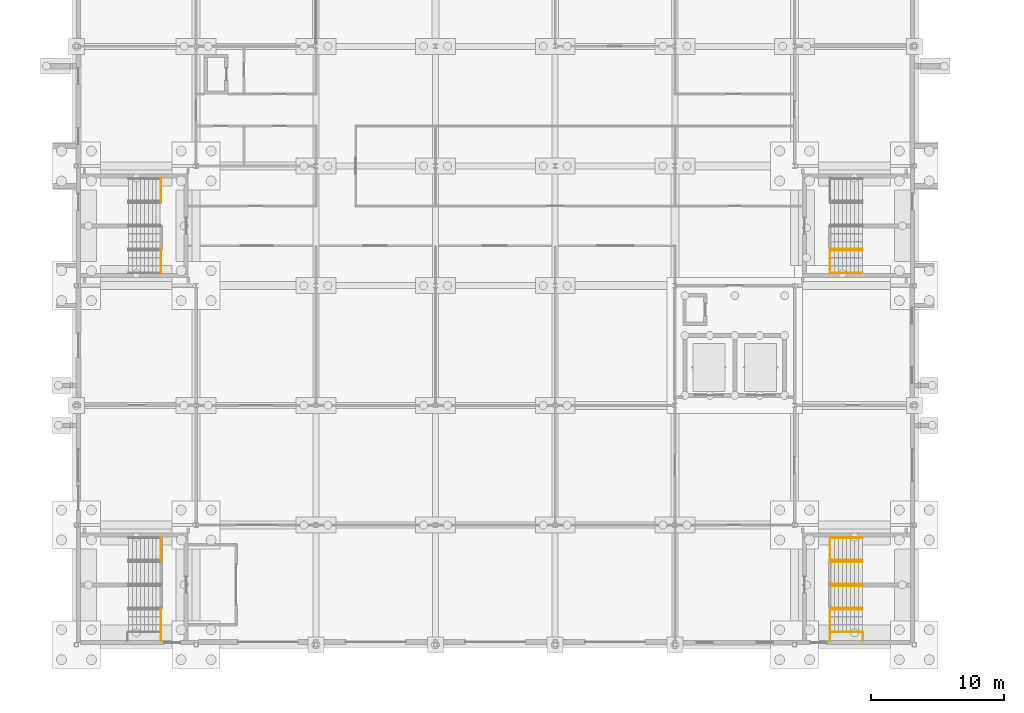
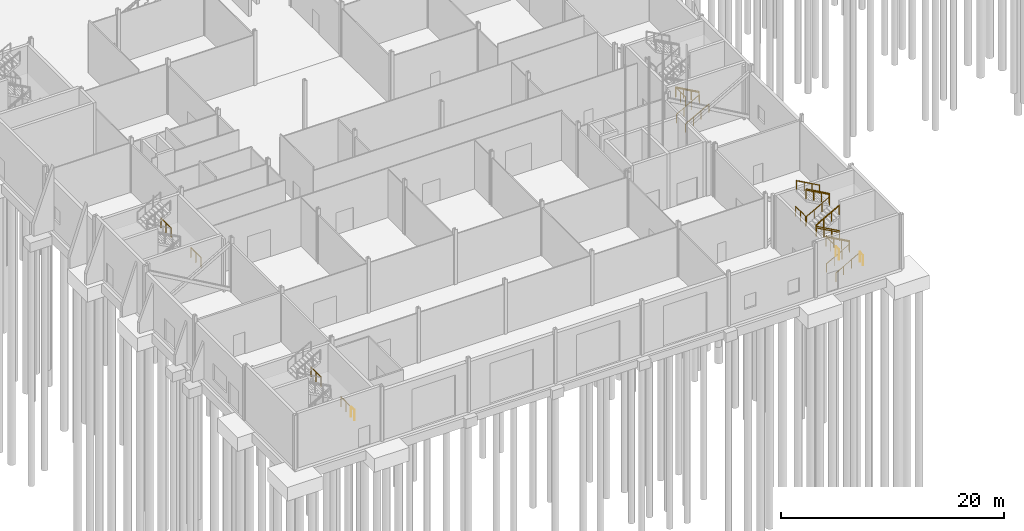
# One storey, part 132 of 139: 26 railings.
"""IFC4 building model written with IfcOpenShell, lengths in metres."""

from ifc_helpers import new_model, si_unit, direction, frame, origin, origin_2d, place, context, subcontext, project, spatial, circle, extrude, material, type_object, element, save


model = new_model("IFC4")

# Units and contexts
model_context = context("Model", 3, precision=1e-05, world=origin(), true_north=direction((0.0, 1.0)))
body_context = subcontext(model_context, "Body", "Model", "MODEL_VIEW")
ifc_project = project(units=[si_unit("LENGTHUNIT", "METRE"), si_unit("AREAUNIT", "SQUARE_METRE"), si_unit("VOLUMEUNIT", "CUBIC_METRE"), si_unit("PLANEANGLEUNIT", "RADIAN"), si_unit("MASSUNIT", "GRAM", prefix="KILO")], contexts=[model_context])

# Site, building, storey
site_placement = place(None, origin())
site = spatial("IfcSite", under=ifc_project, at=site_placement, CompositionType="ELEMENT")
building_placement = place(site_placement, origin())
building = spatial("IfcBuilding", under=site, at=building_placement, Name="Shorebreak Coast Museum", CompositionType="ELEMENT")
storey_placement = place(building_placement, origin())
storey = spatial("IfcBuildingStorey", under=building, at=storey_placement, Name="L00", CompositionType="ELEMENT", Elevation=0.0)

# Railings
ifc_material_1 = material(Name="Steel Grade 300", Category="steel")
railing_type_1 = type_object("IfcRailingType", Name="Stair guard 1100", PredefinedType="GUARDRAIL", material=ifc_material_1)
for number, where, name in (
    (1, (60.35009765625, 0.89990234375, 3.0), "Guard ST11 L00 landing mid1"),
    (2, (60.35009765625, 6.300048828125, 3.0), "Guard ST11 L00 landing mid1"),
):
    element("IfcRailing", number, at=place(storey_placement, frame(where)), inside=storey, type_object=railing_type_1, Name=name, PredefinedType="GUARDRAIL", context=body_context, shape_type="SweptSolid", body=[
        extrude(circle(Radius=0.02490234375, at=origin_2d()), frame((0.0, 0.0, 1.0751953125), z_axis=(0.0, 1.0, 0.0), x_axis=(-1.0, 0.0, 0.0)), (0.0, 0.0, 1.0), 1.800048828125),
        extrude(circle(Radius=0.02001953125, at=origin_2d()), origin(), (0.0, 0.0, 1.0), 1.050048828125),
        extrude(circle(Radius=0.02001953125, at=origin_2d()), frame((0.0, 0.89990234375, 0.0)), (0.0, 0.0, 1.0), 1.050048828125),
        extrude(circle(Radius=0.02001953125, at=origin_2d()), frame((0.0, 1.800048828125, 0.0)), (0.0, 0.0, 1.0), 1.050048828125),
    ])
railing_1_placement = place(storey_placement, frame((60.35009765625, 0.300048828125, 3.0)))
element("IfcRailing", 3, at=railing_1_placement, inside=storey, type_object=railing_type_1, Name="Guard ST11 L00 landing strip", PredefinedType="GUARDRAIL", context=body_context, shape_type="SweptSolid", body=[
    extrude(circle(Radius=0.02490234375, at=origin_2d()), frame((0.0, 0.0, 1.0751953125), z_axis=(0.0, 1.0, 0.0), x_axis=(-1.0, 0.0, 0.0)), (0.0, 0.0, 1.0), 0.599853515625),
    extrude(circle(Radius=0.02001953125, at=origin_2d()), origin(), (0.0, 0.0, 1.0), 1.050048828125),
    extrude(circle(Radius=0.02001953125, at=origin_2d()), frame((0.0, 0.599853515625, 0.0)), (0.0, 0.0, 1.0), 1.050048828125),
])
for number, where, name in (
    (4, (110.64990234375, 0.89990234375, 3.0), "Guard ST12 L00 landing mid1"),
    (5, (110.64990234375, 6.300048828125, 3.0), "Guard ST12 L00 landing mid1"),
):
    element("IfcRailing", number, at=place(storey_placement, frame(where)), inside=storey, type_object=railing_type_1, Name=name, PredefinedType="GUARDRAIL", context=body_context, shape_type="SweptSolid", body=[
        extrude(circle(Radius=0.02490234375, at=origin_2d()), frame((0.0, 0.0, 1.0751953125), z_axis=(0.0, 1.0, 0.0), x_axis=(-1.0, 0.0, 0.0)), (0.0, 0.0, 1.0), 1.800048828125),
        extrude(circle(Radius=0.02001953125, at=origin_2d()), origin(), (0.0, 0.0, 1.0), 1.050048828125),
        extrude(circle(Radius=0.02001953125, at=origin_2d()), frame((0.0, 0.89990234375, 0.0)), (0.0, 0.0, 1.0), 1.050048828125),
        extrude(circle(Radius=0.02001953125, at=origin_2d()), frame((0.0, 1.800048828125, 0.0)), (0.0, 0.0, 1.0), 1.050048828125),
    ])
for number, where, name in (
    (6, (110.64990234375, 0.300048828125, 3.0), "Guard ST12 L00 landing strip"),
    (7, (113.14990234375, 0.300048828125, 1.5), "Guard ST12 L00 landing strip"),
):
    element("IfcRailing", number, at=place(storey_placement, frame(where)), inside=storey, type_object=railing_type_1, Name=name, PredefinedType="GUARDRAIL", context=body_context, shape_type="SweptSolid", body=[
        extrude(circle(Radius=0.02490234375, at=origin_2d()), frame((0.0, 0.0, 1.0751953125), z_axis=(0.0, 1.0, 0.0), x_axis=(-1.0, 0.0, 0.0)), (0.0, 0.0, 1.0), 0.599853515625),
        extrude(circle(Radius=0.02001953125, at=origin_2d()), origin(), (0.0, 0.0, 1.0), 1.050048828125),
        extrude(circle(Radius=0.02001953125, at=origin_2d()), frame((0.0, 0.599853515625, 0.0)), (0.0, 0.0, 1.0), 1.050048828125),
    ])
for number, where, name in (
    (8, (113.10009765625, 2.699951171875, 1.666748046875), "Guard ST12-L00 well 1"),
    (9, (113.10009765625, 6.300048828125, 4.666748046875), "Guard ST12-L00 well 2"),
    (10, (113.10009765625, 4.5, 1.666748046875), "Guard ST12-L00 side 1"),
):
    element("IfcRailing", number, at=place(storey_placement, frame(where)), inside=storey, type_object=railing_type_1, Name=name, PredefinedType="GUARDRAIL", context=body_context, shape_type="SweptSolid", body=[
        extrude(circle(Radius=0.02490234375, at=origin_2d()), frame((0.0, 0.0, 1.0751953125), z_axis=(-0.874182441271, 0.0, 0.485597631145), x_axis=(0.0, -1.0, 0.0)), (0.0, 0.0, 1.0), 2.74560546875),
        extrude(circle(Radius=0.02001953125, at=origin_2d()), origin(), (0.0, 0.0, 1.0), 1.050048828125),
        extrude(circle(Radius=0.02001953125, at=origin_2d()), frame((-0.800048828125, 0.0, 0.4443359375)), (0.0, 0.0, 1.0), 1.050048828125),
        extrude(circle(Radius=0.02001953125, at=origin_2d()), frame((-1.60009765625, 0.0, 0.888916015625)), (0.0, 0.0, 1.0), 1.050048828125),
        extrude(circle(Radius=0.02001953125, at=origin_2d()), frame((-2.400146484375, 0.0, 1.333251953125)), (0.0, 0.0, 1.0), 1.050048828125),
    ])
railing_2_placement = place(storey_placement, frame((110.699951171875, 4.5, 3.166748046875)))
element("IfcRailing", 11, at=railing_2_placement, inside=storey, type_object=railing_type_1, Name="Guard ST12-L00 side 2", PredefinedType="GUARDRAIL", context=body_context, shape_type="SweptSolid", body=[
    extrude(circle(Radius=0.02490234375, at=origin_2d()), frame((0.0, 0.0, 1.0751953125), z_axis=(0.874182441271, 0.0, 0.485597631145), x_axis=(0.0, 1.0, 0.0)), (0.0, 0.0, 1.0), 2.74560546875),
    extrude(circle(Radius=0.02001953125, at=origin_2d()), origin(), (0.0, 0.0, 1.0), 1.050048828125),
    extrude(circle(Radius=0.02001953125, at=origin_2d()), frame((0.800048828125, 0.0, 0.4443359375)), (0.0, 0.0, 1.0), 1.050048828125),
    extrude(circle(Radius=0.02001953125, at=origin_2d()), frame((1.60009765625, 0.0, 0.888916015625)), (0.0, 0.0, 1.0), 1.050048828125),
    extrude(circle(Radius=0.02001953125, at=origin_2d()), frame((2.400146484375, 0.0, 1.333251953125)), (0.0, 0.0, 1.0), 1.050048828125),
])
for number, where, name in (
    (12, (60.35009765625, 27.89990234375, 3.0), "Guard ST13 L00 landing mid1"),
    (13, (60.35009765625, 33.300048828125, 3.0), "Guard ST13 L00 landing mid1"),
    (14, (110.64990234375, 27.89990234375, 3.0), "Guard ST14 L00 landing mid1"),
):
    element("IfcRailing", number, at=place(storey_placement, frame(where)), inside=storey, type_object=railing_type_1, Name=name, PredefinedType="GUARDRAIL", context=body_context, shape_type="SweptSolid", body=[
        extrude(circle(Radius=0.02490234375, at=origin_2d()), frame((0.0, 0.0, 1.0751953125), z_axis=(0.0, 1.0, 0.0), x_axis=(-1.0, 0.0, 0.0)), (0.0, 0.0, 1.0), 1.800048828125),
        extrude(circle(Radius=0.02001953125, at=origin_2d()), origin(), (0.0, 0.0, 1.0), 1.050048828125),
        extrude(circle(Radius=0.02001953125, at=origin_2d()), frame((0.0, 0.89990234375, 0.0)), (0.0, 0.0, 1.0), 1.050048828125),
        extrude(circle(Radius=0.02001953125, at=origin_2d()), frame((0.0, 1.800048828125, 0.0)), (0.0, 0.0, 1.0), 1.050048828125),
    ])
railing_3_placement = place(storey_placement, frame((113.10009765625, 29.699951171875, 1.666748046875)))
element("IfcRailing", 15, at=railing_3_placement, inside=storey, type_object=railing_type_1, Name="Guard ST14-L00 well 1", PredefinedType="GUARDRAIL", context=body_context, shape_type="SweptSolid", body=[
    extrude(circle(Radius=0.02490234375, at=origin_2d()), frame((0.0, 0.0, 1.0751953125), z_axis=(-0.874182441271, 0.0, 0.485597631145), x_axis=(0.0, -1.0, 0.0)), (0.0, 0.0, 1.0), 2.74560546875),
    extrude(circle(Radius=0.02001953125, at=origin_2d()), origin(), (0.0, 0.0, 1.0), 1.050048828125),
    extrude(circle(Radius=0.02001953125, at=origin_2d()), frame((-0.800048828125, 0.0, 0.4443359375)), (0.0, 0.0, 1.0), 1.050048828125),
    extrude(circle(Radius=0.02001953125, at=origin_2d()), frame((-1.60009765625, 0.0, 0.888916015625)), (0.0, 0.0, 1.0), 1.050048828125),
    extrude(circle(Radius=0.02001953125, at=origin_2d()), frame((-2.400146484375, 0.0, 1.333251953125)), (0.0, 0.0, 1.0), 1.050048828125),
])
ifc_material_2 = material(Name="Steel Grade 300", Category="steel")
railing_type_2 = type_object("IfcRailingType", Name="Stair handrail 950", PredefinedType="HANDRAIL", material=ifc_material_2)
for number, where, name in (
    (16, (110.699951171875, 0.9599609375, 0.166748046875), "Handrail ST12-L00 flight 1a"),
    (17, (110.699951171875, 2.639892578125, 0.166748046875), "Handrail ST12-L00 flight 1b"),
):
    element("IfcRailing", number, at=place(storey_placement, frame(where)), inside=storey, type_object=railing_type_2, Name=name, PredefinedType="HANDRAIL", context=body_context, shape_type="SweptSolid", body=[
        extrude(circle(Radius=0.02490234375, at=origin_2d()), frame((0.0, 0.0, 0.9248046875), z_axis=(0.874182441271, 0.0, 0.485597631145), x_axis=(0.0, 1.0, 0.0)), (0.0, 0.0, 1.0), 2.74560546875),
        extrude(circle(Radius=0.02001953125, at=origin_2d()), origin(), (0.0, 0.0, 1.0), 0.89990234375),
        extrude(circle(Radius=0.02001953125, at=origin_2d()), frame((0.800048828125, 0.0, 0.4443359375)), (0.0, 0.0, 1.0), 0.89990234375),
        extrude(circle(Radius=0.02001953125, at=origin_2d()), frame((1.60009765625, 0.0, 0.888916015625)), (0.0, 0.0, 1.0), 0.89990234375),
        extrude(circle(Radius=0.02001953125, at=origin_2d()), frame((2.400146484375, 0.0, 1.333251953125)), (0.0, 0.0, 1.0), 0.89990234375),
    ])
for number, where, name in (
    (18, (113.10009765625, 2.760009765625, 1.666748046875), "Handrail ST12-L00 flight 2a"),
    (19, (113.10009765625, 4.43994140625, 1.666748046875), "Handrail ST12-L00 flight 2b"),
):
    element("IfcRailing", number, at=place(storey_placement, frame(where)), inside=storey, type_object=railing_type_2, Name=name, PredefinedType="HANDRAIL", context=body_context, shape_type="SweptSolid", body=[
        extrude(circle(Radius=0.02490234375, at=origin_2d()), frame((0.0, 0.0, 0.9248046875), z_axis=(-0.874182441271, 0.0, 0.485597631145), x_axis=(0.0, -1.0, 0.0)), (0.0, 0.0, 1.0), 2.74560546875),
        extrude(circle(Radius=0.02001953125, at=origin_2d()), origin(), (0.0, 0.0, 1.0), 0.89990234375),
        extrude(circle(Radius=0.02001953125, at=origin_2d()), frame((-0.800048828125, 0.0, 0.4443359375)), (0.0, 0.0, 1.0), 0.89990234375),
        extrude(circle(Radius=0.02001953125, at=origin_2d()), frame((-1.60009765625, 0.0, 0.888916015625)), (0.0, 0.0, 1.0), 0.89990234375),
        extrude(circle(Radius=0.02001953125, at=origin_2d()), frame((-2.400146484375, 0.0, 1.333251953125)), (0.0, 0.0, 1.0), 0.89990234375),
    ])
for number, where, name in (
    (20, (110.699951171875, 4.56005859375, 3.166748046875), "Handrail ST12-L00 flight 3a"),
    (21, (110.699951171875, 6.239990234375, 3.166748046875), "Handrail ST12-L00 flight 3b"),
):
    element("IfcRailing", number, at=place(storey_placement, frame(where)), inside=storey, type_object=railing_type_2, Name=name, PredefinedType="HANDRAIL", context=body_context, shape_type="SweptSolid", body=[
        extrude(circle(Radius=0.02490234375, at=origin_2d()), frame((0.0, 0.0, 0.9248046875), z_axis=(0.874182441271, 0.0, 0.485597631145), x_axis=(0.0, 1.0, 0.0)), (0.0, 0.0, 1.0), 2.74560546875),
        extrude(circle(Radius=0.02001953125, at=origin_2d()), origin(), (0.0, 0.0, 1.0), 0.89990234375),
        extrude(circle(Radius=0.02001953125, at=origin_2d()), frame((0.800048828125, 0.0, 0.4443359375)), (0.0, 0.0, 1.0), 0.89990234375),
        extrude(circle(Radius=0.02001953125, at=origin_2d()), frame((1.60009765625, 0.0, 0.888916015625)), (0.0, 0.0, 1.0), 0.89990234375),
        extrude(circle(Radius=0.02001953125, at=origin_2d()), frame((2.400146484375, 0.0, 1.333251953125)), (0.0, 0.0, 1.0), 0.89990234375),
    ])
for number, where, name in (
    (22, (113.10009765625, 6.360107421875, 4.666748046875), "Handrail ST12-L00 flight 4a"),
    (23, (113.10009765625, 8.0400390625, 4.666748046875), "Handrail ST12-L00 flight 4b"),
):
    element("IfcRailing", number, at=place(storey_placement, frame(where)), inside=storey, type_object=railing_type_2, Name=name, PredefinedType="HANDRAIL", context=body_context, shape_type="SweptSolid", body=[
        extrude(circle(Radius=0.02490234375, at=origin_2d()), frame((0.0, 0.0, 0.9248046875), z_axis=(-0.874182441271, 0.0, 0.485597631145), x_axis=(0.0, -1.0, 0.0)), (0.0, 0.0, 1.0), 2.74560546875),
        extrude(circle(Radius=0.02001953125, at=origin_2d()), origin(), (0.0, 0.0, 1.0), 0.89990234375),
        extrude(circle(Radius=0.02001953125, at=origin_2d()), frame((-0.800048828125, 0.0, 0.4443359375)), (0.0, 0.0, 1.0), 0.89990234375),
        extrude(circle(Radius=0.02001953125, at=origin_2d()), frame((-1.60009765625, 0.0, 0.888916015625)), (0.0, 0.0, 1.0), 0.89990234375),
        extrude(circle(Radius=0.02001953125, at=origin_2d()), frame((-2.400146484375, 0.0, 1.333251953125)), (0.0, 0.0, 1.0), 0.89990234375),
    ])
for number, where, name in (
    (24, (110.699951171875, 27.9599609375, 0.166748046875), "Handrail ST14-L00 flight 1a"),
    (25, (110.699951171875, 29.639892578125, 0.166748046875), "Handrail ST14-L00 flight 1b"),
):
    element("IfcRailing", number, at=place(storey_placement, frame(where)), inside=storey, type_object=railing_type_2, Name=name, PredefinedType="HANDRAIL", context=body_context, shape_type="SweptSolid", body=[
        extrude(circle(Radius=0.02490234375, at=origin_2d()), frame((0.0, 0.0, 0.9248046875), z_axis=(0.874182441271, 0.0, 0.485597631145), x_axis=(0.0, 1.0, 0.0)), (0.0, 0.0, 1.0), 2.74560546875),
        extrude(circle(Radius=0.02001953125, at=origin_2d()), origin(), (0.0, 0.0, 1.0), 0.89990234375),
        extrude(circle(Radius=0.02001953125, at=origin_2d()), frame((0.800048828125, 0.0, 0.4443359375)), (0.0, 0.0, 1.0), 0.89990234375),
        extrude(circle(Radius=0.02001953125, at=origin_2d()), frame((1.60009765625, 0.0, 0.888916015625)), (0.0, 0.0, 1.0), 0.89990234375),
        extrude(circle(Radius=0.02001953125, at=origin_2d()), frame((2.400146484375, 0.0, 1.333251953125)), (0.0, 0.0, 1.0), 0.89990234375),
    ])
railing_4_placement = place(storey_placement, frame((113.10009765625, 29.760009765625, 1.666748046875)))
element("IfcRailing", 26, at=railing_4_placement, inside=storey, type_object=railing_type_2, Name="Handrail ST14-L00 flight 2a", PredefinedType="HANDRAIL", context=body_context, shape_type="SweptSolid", body=[
    extrude(circle(Radius=0.02490234375, at=origin_2d()), frame((0.0, 0.0, 0.9248046875), z_axis=(-0.874182441271, 0.0, 0.485597631145), x_axis=(0.0, -1.0, 0.0)), (0.0, 0.0, 1.0), 2.74560546875),
    extrude(circle(Radius=0.02001953125, at=origin_2d()), origin(), (0.0, 0.0, 1.0), 0.89990234375),
    extrude(circle(Radius=0.02001953125, at=origin_2d()), frame((-0.800048828125, 0.0, 0.4443359375)), (0.0, 0.0, 1.0), 0.89990234375),
    extrude(circle(Radius=0.02001953125, at=origin_2d()), frame((-1.60009765625, 0.0, 0.888916015625)), (0.0, 0.0, 1.0), 0.89990234375),
    extrude(circle(Radius=0.02001953125, at=origin_2d()), frame((-2.400146484375, 0.0, 1.333251953125)), (0.0, 0.0, 1.0), 0.89990234375),
])

save(model, "model.ifc")
